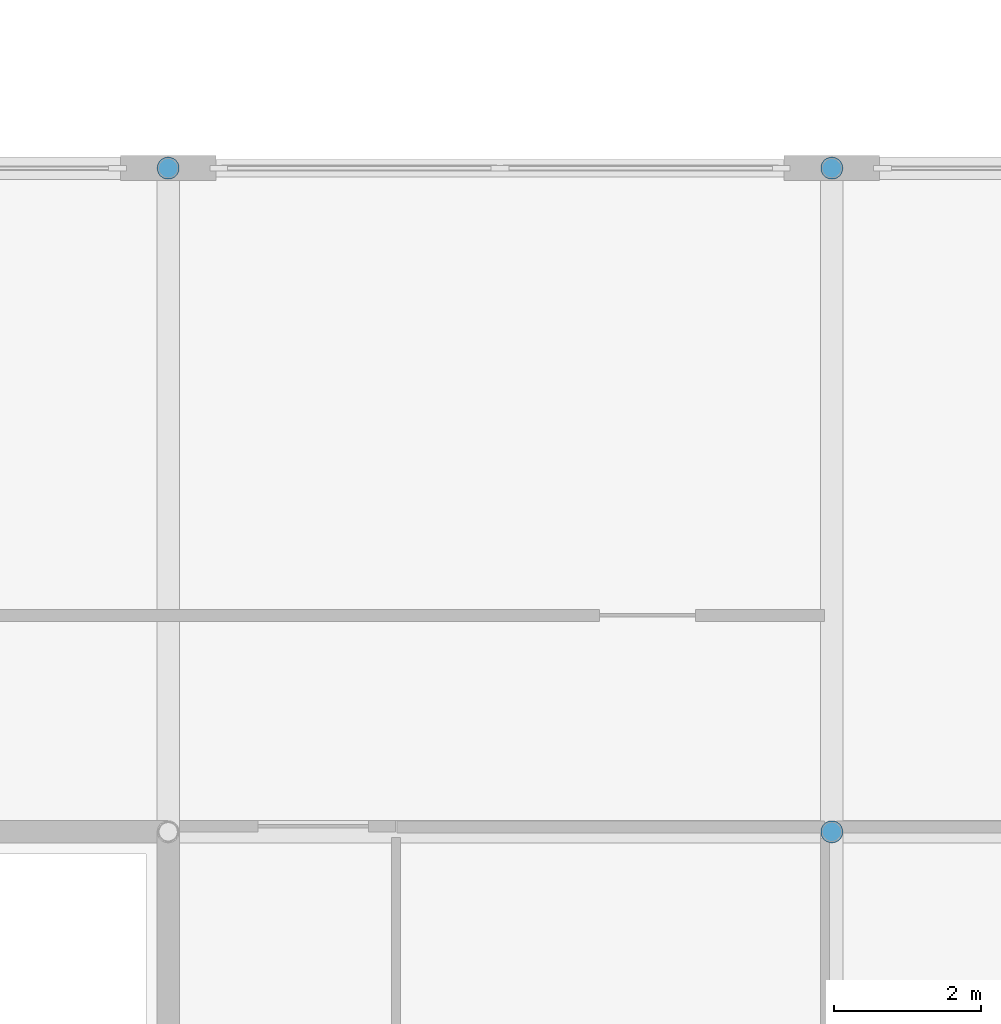
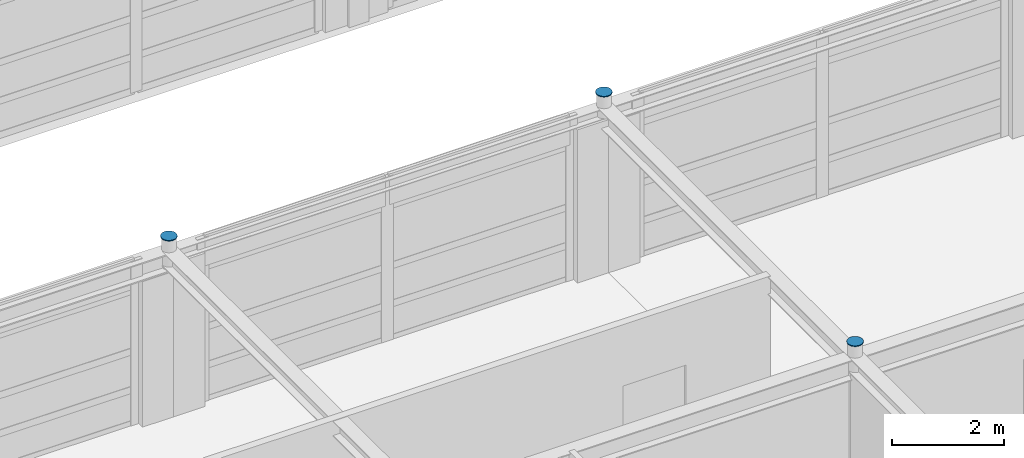
# One storey, part 74 of 79: 3 discrete accessories.
"""IFC4 building model written with IfcOpenShell, lengths in metres."""

from ifc_helpers import new_model, si_unit, direction, frame, origin, place, context, subcontext, project, spatial, polyline, outline, extrude, material, type_object, element, save


model = new_model("IFC4")

# Units and contexts
model_context = context("Model", 3, precision=1e-05, world=origin(), true_north=direction((0.0, 1.0)))
body_context = subcontext(model_context, "Body", "Model", "MODEL_VIEW")
ifc_project = project(units=[si_unit("LENGTHUNIT", "METRE"), si_unit("AREAUNIT", "SQUARE_METRE"), si_unit("VOLUMEUNIT", "CUBIC_METRE"), si_unit("PLANEANGLEUNIT", "RADIAN"), si_unit("MASSUNIT", "GRAM", prefix="KILO")], contexts=[model_context])

# Site, building, storey
site_placement = place(None, origin())
site = spatial("IfcSite", under=ifc_project, at=site_placement, CompositionType="ELEMENT")
building_placement = place(site_placement, origin())
building = spatial("IfcBuilding", under=site, at=building_placement, Name="Palais des Congres Ocreval", CompositionType="ELEMENT")
storey_placement = place(building_placement, frame((0.0, 0.0, 4.320068359375)))
storey = spatial("IfcBuildingStorey", under=building, at=storey_placement, Name="L01", CompositionType="ELEMENT", Elevation=4.320068359375)

# Discrete accessories
ifc_material = material(Name="Steel S355", Category="steel")
discrete_accessory_type = type_object("IfcDiscreteAccessoryType", Name="Column Cap Plate PL20 Steel S355", PredefinedType="USERDEFINED", material=ifc_material)
discrete_accessory_1_placement = place(storey_placement, frame((0.0, 0.0, 3.83984375)))
element("IfcDiscreteAccessory", 1, at=discrete_accessory_1_placement, inside=storey, type_object=discrete_accessory_type, Name="Column Cap Plate PL20 C17", ObjectType="COLUMN CAP PLATE", PredefinedType="USERDEFINED", context=body_context, shape_type="SweptSolid", body=[
    extrude(outline(polyline([(117.14990234375, 63.0), (117.147216796875, 63.029296875), (117.138671875, 63.057373046875), (117.124755859375, 63.083251953125), (117.106201171875, 63.106201171875), (117.083251953125, 63.124755859375), (117.057373046875, 63.138671875), (117.029296875, 63.147216796875), (117.0, 63.14990234375), (116.970703125, 63.147216796875), (116.942626953125, 63.138671875), (116.916748046875, 63.124755859375), (116.893798828125, 63.106201171875), (116.875244140625, 63.083251953125), (116.861328125, 63.057373046875), (116.852783203125, 63.029296875), (116.85009765625, 63.0), (116.852783203125, 62.970703125), (116.861328125, 62.942626953125), (116.875244140625, 62.916748046875), (116.893798828125, 62.893798828125), (116.916748046875, 62.875244140625), (116.942626953125, 62.861328125), (116.970703125, 62.852783203125), (117.0, 62.85009765625), (117.029296875, 62.852783203125), (117.057373046875, 62.861328125), (117.083251953125, 62.875244140625), (117.106201171875, 62.893798828125), (117.124755859375, 62.916748046875), (117.138671875, 62.942626953125), (117.147216796875, 62.970703125), (117.14990234375, 63.0)])), origin(), (0.0, 0.0, 1.0), 0.02001953125),
])
discrete_accessory_2_placement = place(storey_placement, frame((0.0, 0.0, 3.83984375)))
element("IfcDiscreteAccessory", 2, at=discrete_accessory_2_placement, inside=storey, type_object=discrete_accessory_type, Name="Column Cap Plate PL20 C17", ObjectType="COLUMN CAP PLATE", PredefinedType="USERDEFINED", context=body_context, shape_type="SweptSolid", body=[
    extrude(outline(polyline([(126.14990234375, 54.0), (126.147216796875, 54.029296875), (126.138671875, 54.057373046875), (126.124755859375, 54.083251953125), (126.106201171875, 54.106201171875), (126.083251953125, 54.124755859375), (126.057373046875, 54.138671875), (126.029296875, 54.147216796875), (126.0, 54.14990234375), (125.970703125, 54.147216796875), (125.942626953125, 54.138671875), (125.916748046875, 54.124755859375), (125.893798828125, 54.106201171875), (125.875244140625, 54.083251953125), (125.861328125, 54.057373046875), (125.852783203125, 54.029296875), (125.85009765625, 54.0), (125.852783203125, 53.970703125), (125.861328125, 53.942626953125), (125.875244140625, 53.916748046875), (125.893798828125, 53.893798828125), (125.916748046875, 53.875244140625), (125.942626953125, 53.861328125), (125.970703125, 53.852783203125), (126.0, 53.85009765625), (126.029296875, 53.852783203125), (126.057373046875, 53.861328125), (126.083251953125, 53.875244140625), (126.106201171875, 53.893798828125), (126.124755859375, 53.916748046875), (126.138671875, 53.942626953125), (126.147216796875, 53.970703125), (126.14990234375, 54.0)])), origin(), (0.0, 0.0, 1.0), 0.02001953125),
])
discrete_accessory_3_placement = place(storey_placement, frame((0.0, 0.0, 3.83984375)))
element("IfcDiscreteAccessory", 3, at=discrete_accessory_3_placement, inside=storey, type_object=discrete_accessory_type, Name="Column Cap Plate PL20 C17", ObjectType="COLUMN CAP PLATE", PredefinedType="USERDEFINED", context=body_context, shape_type="SweptSolid", body=[
    extrude(outline(polyline([(126.14990234375, 63.0), (126.147216796875, 63.029296875), (126.138671875, 63.057373046875), (126.124755859375, 63.083251953125), (126.106201171875, 63.106201171875), (126.083251953125, 63.124755859375), (126.057373046875, 63.138671875), (126.029296875, 63.147216796875), (126.0, 63.14990234375), (125.970703125, 63.147216796875), (125.942626953125, 63.138671875), (125.916748046875, 63.124755859375), (125.893798828125, 63.106201171875), (125.875244140625, 63.083251953125), (125.861328125, 63.057373046875), (125.852783203125, 63.029296875), (125.85009765625, 63.0), (125.852783203125, 62.970703125), (125.861328125, 62.942626953125), (125.875244140625, 62.916748046875), (125.893798828125, 62.893798828125), (125.916748046875, 62.875244140625), (125.942626953125, 62.861328125), (125.970703125, 62.852783203125), (126.0, 62.85009765625), (126.029296875, 62.852783203125), (126.057373046875, 62.861328125), (126.083251953125, 62.875244140625), (126.106201171875, 62.893798828125), (126.124755859375, 62.916748046875), (126.138671875, 62.942626953125), (126.147216796875, 62.970703125), (126.14990234375, 63.0)])), origin(), (0.0, 0.0, 1.0), 0.02001953125),
])

save(model, "model.ifc")
